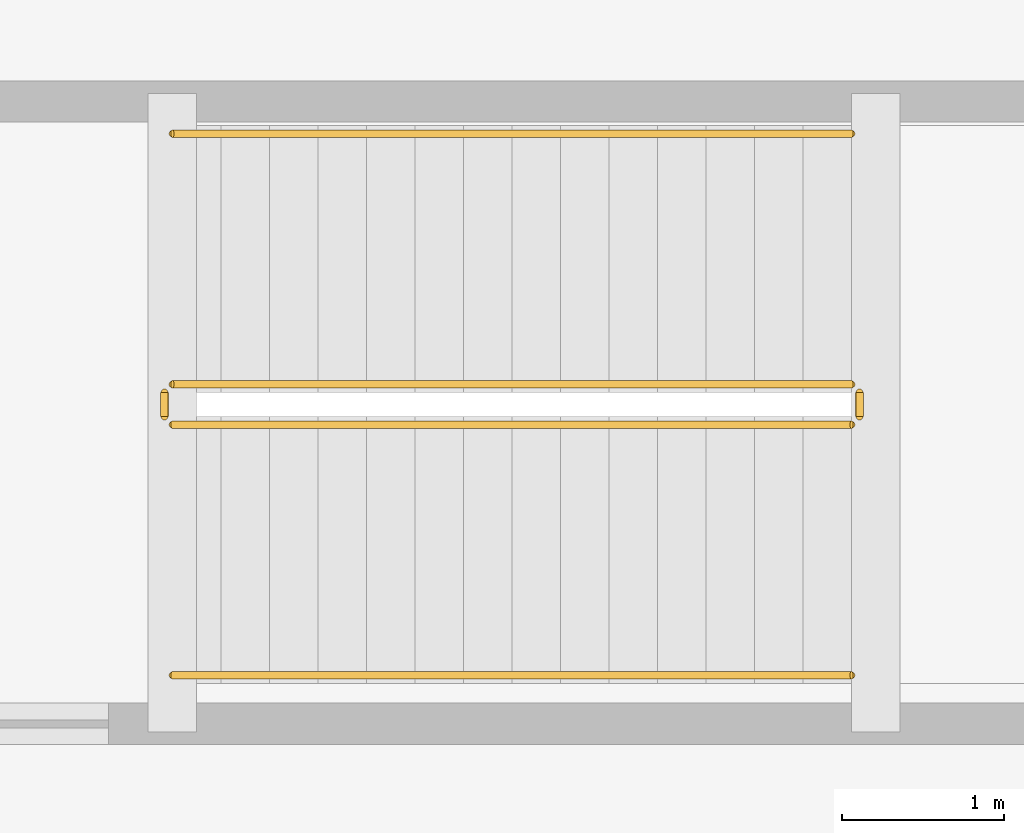
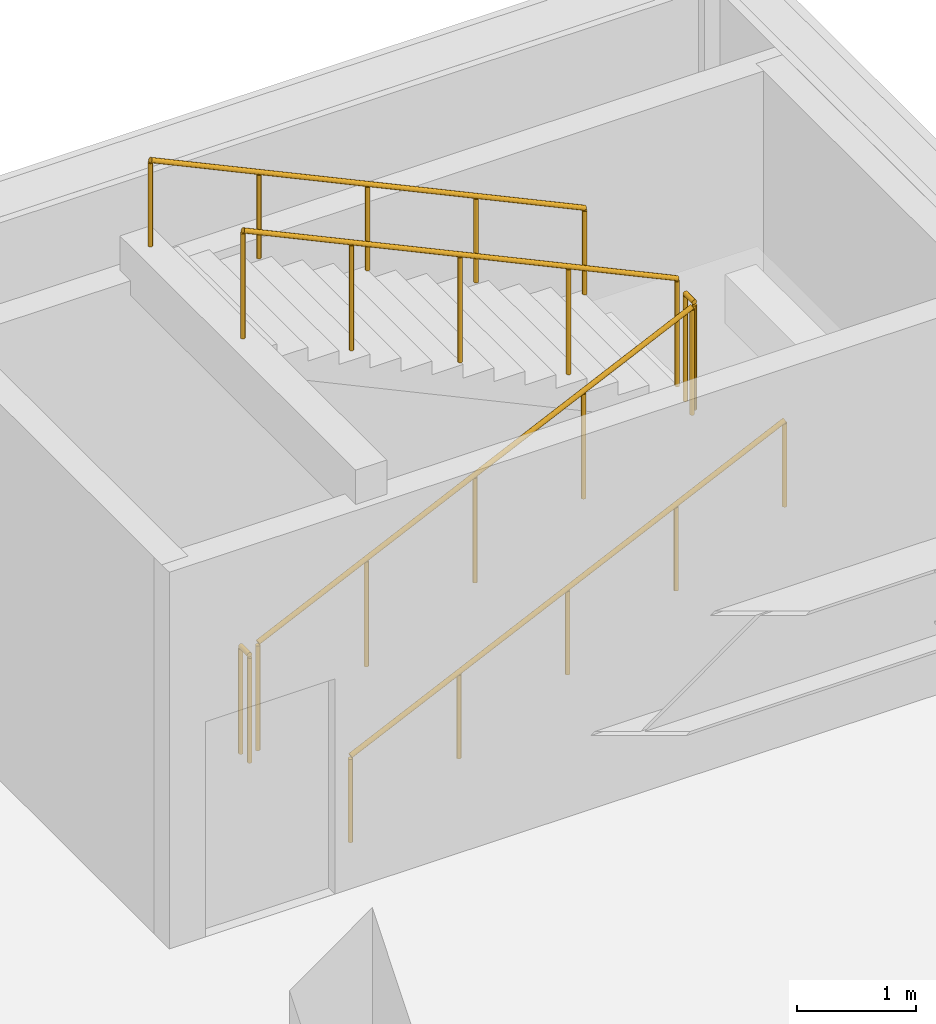
# One storey, part 63 of 63: 6 railings.
"""IFC4 building model written with IfcOpenShell, lengths in metres."""

from ifc_helpers import new_model, si_unit, direction, frame, origin, origin_2d, place, context, subcontext, project, spatial, circle, extrude, material, type_object, element, save


model = new_model("IFC4")

# Units and contexts
model_context = context("Model", 3, precision=1e-05, world=origin(), true_north=direction((0.0, 1.0)))
body_context = subcontext(model_context, "Body", "Model", "MODEL_VIEW")
ifc_project = project(units=[si_unit("LENGTHUNIT", "METRE"), si_unit("AREAUNIT", "SQUARE_METRE"), si_unit("VOLUMEUNIT", "CUBIC_METRE"), si_unit("PLANEANGLEUNIT", "RADIAN"), si_unit("MASSUNIT", "GRAM", prefix="KILO")], contexts=[model_context])

# Site, building, storey
site_placement = place(None, origin())
site = spatial("IfcSite", under=ifc_project, at=site_placement, CompositionType="ELEMENT")
building_placement = place(site_placement, origin())
building = spatial("IfcBuilding", under=site, at=building_placement, Name="Cumbredor Promenade Congress Hotel", CompositionType="ELEMENT")
storey_placement = place(building_placement, frame((0.0, 0.0, -4.199951171875)))
storey = spatial("IfcBuildingStorey", under=building, at=storey_placement, Name="B01", CompositionType="ELEMENT", Elevation=-4.199951171875)

# Railings
ifc_material = material(Name="Brushed stainless steel", Category="steel")
railing_type_1 = type_object("IfcRailingType", Name="Interior Void & Stair Guardrail GR-1100", PredefinedType="GUARDRAIL", material=ifc_material)
railing_1_placement = place(storey_placement, frame((169.919921875, 114.14990234375, 0.139892578125)))
element("IfcRailing", 1, at=railing_1_placement, inside=storey, type_object=railing_type_1, Name="B01 ST-16 stair guard 1", PredefinedType="GUARDRAIL", context=body_context, shape_type="SweptSolid", body=[
    extrude(circle(Radius=0.02392578125, at=origin_2d()), frame((0.0, 0.0, 1.09619140625), z_axis=(0.906193905077, 0.0, 0.422862396533), x_axis=(0.0, 1.0, 0.0)), (0.0, 0.0, 1.0), 4.635009765625),
    extrude(circle(Radius=0.02099609375, at=origin_2d()), origin(), (0.0, 0.0, 1.0), 1.072021484375),
    extrude(circle(Radius=0.02099609375, at=origin_2d()), frame((1.050048828125, 0.0, 0.489990234375)), (0.0, 0.0, 1.0), 1.072021484375),
    extrude(circle(Radius=0.02099609375, at=origin_2d()), frame((2.10009765625, 0.0, 0.97998046875)), (0.0, 0.0, 1.0), 1.072021484375),
    extrude(circle(Radius=0.02099609375, at=origin_2d()), frame((3.150146484375, 0.0, 1.469970703125)), (0.0, 0.0, 1.0), 1.072021484375),
    extrude(circle(Radius=0.02099609375, at=origin_2d()), frame((4.2001953125, 0.0, 1.9599609375)), (0.0, 0.0, 1.0), 1.072021484375),
])
railing_2_placement = place(storey_placement, frame((174.169921875, 114.199951171875, 2.099853515625)))
element("IfcRailing", 2, at=railing_2_placement, inside=storey, type_object=railing_type_1, Name="B01 ST-16 stair guard 2", PredefinedType="GUARDRAIL", context=body_context, shape_type="SweptSolid", body=[
    extrude(circle(Radius=0.02392578125, at=origin_2d()), frame((0.0, 0.0, 1.09619140625), z_axis=(0.0, 1.0, 0.0), x_axis=(-1.0, 0.0, 0.0)), (0.0, 0.0, 1.0), 0.150146484375),
    extrude(circle(Radius=0.02099609375, at=origin_2d()), origin(), (0.0, 0.0, 1.0), 1.072021484375),
    extrude(circle(Radius=0.02099609375, at=origin_2d()), frame((0.0, 0.150146484375, 0.0)), (0.0, 0.0, 1.0), 1.072021484375),
])
railing_3_placement = place(storey_placement, frame((174.1201171875, 114.39990234375, 2.239990234375)))
element("IfcRailing", 3, at=railing_3_placement, inside=storey, type_object=railing_type_1, Name="B01 ST-16 stair guard 3", PredefinedType="GUARDRAIL", context=body_context, shape_type="SweptSolid", body=[
    extrude(circle(Radius=0.02392578125, at=origin_2d()), frame((0.0, 0.0, 1.09619140625), z_axis=(-0.906193905077, 0.0, 0.422862396533), x_axis=(0.0, -1.0, 0.0)), (0.0, 0.0, 1.0), 4.635009765625),
    extrude(circle(Radius=0.02099609375, at=origin_2d()), origin(), (0.0, 0.0, 1.0), 1.072021484375),
    extrude(circle(Radius=0.02099609375, at=origin_2d()), frame((-1.050048828125, 0.0, 0.489990234375)), (0.0, 0.0, 1.0), 1.072021484375),
    extrude(circle(Radius=0.02099609375, at=origin_2d()), frame((-2.10009765625, 0.0, 0.97998046875)), (0.0, 0.0, 1.0), 1.072021484375),
    extrude(circle(Radius=0.02099609375, at=origin_2d()), frame((-3.150146484375, 0.0, 1.469970703125)), (0.0, 0.0, 1.0), 1.072021484375),
    extrude(circle(Radius=0.02099609375, at=origin_2d()), frame((-4.2001953125, 0.0, 1.9599609375)), (0.0, 0.0, 1.0), 1.072021484375),
])
railing_4_placement = place(storey_placement, frame((169.8701171875, 114.199951171875, 0.0)))
element("IfcRailing", 4, at=railing_4_placement, inside=storey, type_object=railing_type_1, Name="B01 ST-16 stair guard 4", PredefinedType="GUARDRAIL", context=body_context, shape_type="SweptSolid", body=[
    extrude(circle(Radius=0.02392578125, at=origin_2d()), frame((0.0, 0.0, 1.09619140625), z_axis=(0.0, 1.0, 0.0), x_axis=(-1.0, 0.0, 0.0)), (0.0, 0.0, 1.0), 0.150146484375),
    extrude(circle(Radius=0.02099609375, at=origin_2d()), origin(), (0.0, 0.0, 1.0), 1.072021484375),
    extrude(circle(Radius=0.02099609375, at=origin_2d()), frame((0.0, 0.150146484375, 0.0)), (0.0, 0.0, 1.0), 1.072021484375),
])
railing_type_2 = type_object("IfcRailingType", Name="Stair Pitch Handrail HR-900", PredefinedType="HANDRAIL", material=ifc_material)
railing_5_placement = place(storey_placement, frame((169.919921875, 112.60009765625, 0.139892578125)))
element("IfcRailing", 5, at=railing_5_placement, inside=storey, type_object=railing_type_2, Name="B01 ST-16 stair handrail 1", PredefinedType="HANDRAIL", context=body_context, shape_type="SweptSolid", body=[
    extrude(circle(Radius=0.02392578125, at=origin_2d()), frame((0.0, 0.0, 0.8759765625), z_axis=(0.906193905077, 0.0, 0.422862396533), x_axis=(0.0, 1.0, 0.0)), (0.0, 0.0, 1.0), 4.635009765625),
    extrude(circle(Radius=0.02099609375, at=origin_2d()), origin(), (0.0, 0.0, 1.0), 0.851806640625),
    extrude(circle(Radius=0.02099609375, at=origin_2d()), frame((1.050048828125, 0.0, 0.489990234375)), (0.0, 0.0, 1.0), 0.851806640625),
    extrude(circle(Radius=0.02099609375, at=origin_2d()), frame((2.10009765625, 0.0, 0.97998046875)), (0.0, 0.0, 1.0), 0.851806640625),
    extrude(circle(Radius=0.02099609375, at=origin_2d()), frame((3.150146484375, 0.0, 1.469970703125)), (0.0, 0.0, 1.0), 0.851806640625),
    extrude(circle(Radius=0.02099609375, at=origin_2d()), frame((4.2001953125, 0.0, 1.9599609375)), (0.0, 0.0, 1.0), 0.851806640625),
])
railing_6_placement = place(storey_placement, frame((174.1201171875, 115.949951171875, 2.239990234375)))
element("IfcRailing", 6, at=railing_6_placement, inside=storey, type_object=railing_type_2, Name="B01 ST-16 stair handrail 2", PredefinedType="HANDRAIL", context=body_context, shape_type="SweptSolid", body=[
    extrude(circle(Radius=0.02392578125, at=origin_2d()), frame((0.0, 0.0, 0.8759765625), z_axis=(-0.906193905077, 0.0, 0.422862396533), x_axis=(0.0, -1.0, 0.0)), (0.0, 0.0, 1.0), 4.635009765625),
    extrude(circle(Radius=0.02099609375, at=origin_2d()), origin(), (0.0, 0.0, 1.0), 0.851806640625),
    extrude(circle(Radius=0.02099609375, at=origin_2d()), frame((-1.050048828125, 0.0, 0.489990234375)), (0.0, 0.0, 1.0), 0.851806640625),
    extrude(circle(Radius=0.02099609375, at=origin_2d()), frame((-2.10009765625, 0.0, 0.97998046875)), (0.0, 0.0, 1.0), 0.851806640625),
    extrude(circle(Radius=0.02099609375, at=origin_2d()), frame((-3.150146484375, 0.0, 1.469970703125)), (0.0, 0.0, 1.0), 0.851806640625),
    extrude(circle(Radius=0.02099609375, at=origin_2d()), frame((-4.2001953125, 0.0, 1.9599609375)), (0.0, 0.0, 1.0), 0.851806640625),
])

save(model, "model.ifc")
